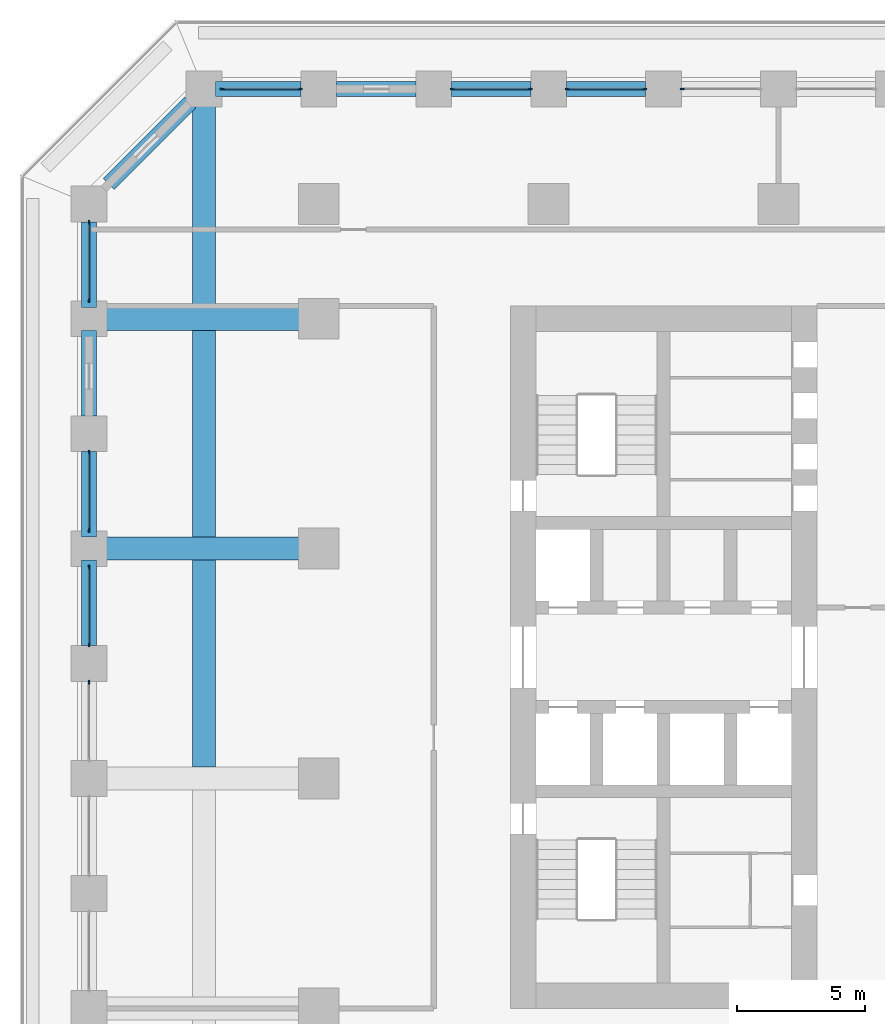
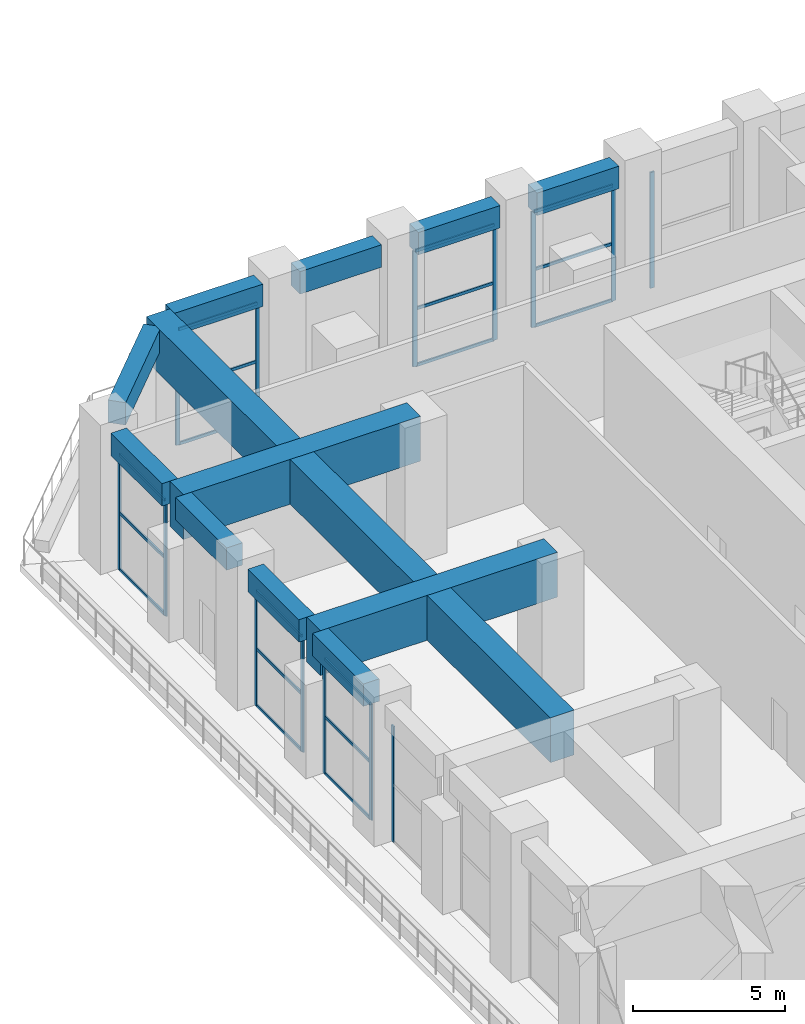
# One storey, part 6 of 21: 32 members, 14 beams, 8 elements without a shape of their own.
"""IFC4 building model written with IfcOpenShell, lengths in metres."""

from ifc_helpers import new_model, si_unit, direction, frame, origin, origin_2d, place, context, subcontext, project, spatial, rectangle, extrude, material, material_profile, profile_set, type_object, element, aggregate, save


model = new_model("IFC4")

# Units and contexts
model_context = context("Model", 3, precision=1e-05, world=origin(), true_north=direction((0.0, 1.0)))
body_context = subcontext(model_context, "Body", "Model", "MODEL_VIEW")
ifc_project = project(units=[si_unit("LENGTHUNIT", "METRE"), si_unit("AREAUNIT", "SQUARE_METRE"), si_unit("VOLUMEUNIT", "CUBIC_METRE"), si_unit("PLANEANGLEUNIT", "RADIAN"), si_unit("MASSUNIT", "GRAM", prefix="KILO")], contexts=[model_context])

# Site, building, storey
site_placement = place(None, origin())
site = spatial("IfcSite", under=ifc_project, at=site_placement, CompositionType="ELEMENT")
building_placement = place(site_placement, origin())
building = spatial("IfcBuilding", under=site, at=building_placement, Name="Corbel Stack Research Tower", CompositionType="ELEMENT")
storey_placement = place(building_placement, frame((0.0, 0.0, 35.89990234375)))
storey = spatial("IfcBuildingStorey", under=building, at=storey_placement, Name="L08", CompositionType="ELEMENT", Elevation=35.89990234375)

# Curtain wall, member
ifc_material_1 = material(Name="Aluminium frame, clear glass", Category="aluminium")
curtain_wall_type = type_object("IfcCurtainWallType", Name="Amenity floor curtain wall CW2", PredefinedType="NOTDEFINED", material=ifc_material_1)
curtain_wall_1_placement = place(storey_placement, origin())
curtain_wall_1 = element("IfcCurtainWall", 1, at=curtain_wall_1_placement, inside=storey, type_object=curtain_wall_type, Name="Curtain wall CW2 L08 N06", PredefinedType="NOTDEFINED")
ifc_material_2 = material(Name="Aluminium mullion", Category="aluminium")
ifc_material_profile_1 = material_profile(ifc_material_2, rectangle(XDim=0.06005859375, YDim=0.159912109375, at=origin_2d()), Name="Mullion 60 x 160")
ifc_profile_set_1 = profile_set([ifc_material_profile_1], Name="Aluminium mullion")
member_type_1 = type_object("IfcMemberType", Name="Curtain wall mullion 60 x 160", PredefinedType="MULLION", material=ifc_profile_set_1)
member_1_placement = place(storey_placement, frame((-3.77001953125, 27.0, 0.0), z_axis=(0.0, 0.0, 1.0), x_axis=(0.0, -1.0, 0.0)))
member_1 = element("IfcMember", 2, at=member_1_placement, type_object=member_type_1, Name="CW2 L08 N06 mullion 2", PredefinedType="MULLION", context=body_context, shape_type="SweptSolid", body=[
    extrude(rectangle(XDim=0.06005859375, YDim=0.159912109375, at=origin_2d()), origin(), (0.0, 0.0, 1.0), 4.650146484375),
])
aggregate(curtain_wall_1, [member_1])

# Curtain wall, members
curtain_wall_2_placement = place(storey_placement, origin())
curtain_wall_2 = element("IfcCurtainWall", 3, at=curtain_wall_2_placement, inside=storey, type_object=curtain_wall_type, Name="Curtain wall CW2 L08 N07", PredefinedType="NOTDEFINED")
member_2_placement = place(storey_placement, frame((-5.22998046875, 27.0, 0.0), z_axis=(0.0, 0.0, 1.0), x_axis=(0.0, -1.0, 0.0)))
member_2 = element("IfcMember", 4, at=member_2_placement, type_object=member_type_1, Name="CW2 L08 N07 mullion 1", PredefinedType="MULLION", context=body_context, shape_type="SweptSolid", body=[
    extrude(rectangle(XDim=0.06005859375, YDim=0.159912109375, at=origin_2d()), origin(), (0.0, 0.0, 1.0), 4.650146484375),
])
member_3_placement = place(storey_placement, frame((-8.27001953125, 27.0, 0.0), z_axis=(0.0, 0.0, 1.0), x_axis=(0.0, -1.0, 0.0)))
member_3 = element("IfcMember", 5, at=member_3_placement, type_object=member_type_1, Name="CW2 L08 N07 mullion 2", PredefinedType="MULLION", context=body_context, shape_type="SweptSolid", body=[
    extrude(rectangle(XDim=0.06005859375, YDim=0.159912109375, at=origin_2d()), origin(), (0.0, 0.0, 1.0), 4.650146484375),
])

curtain_wall_3_placement = place(storey_placement, origin())
curtain_wall_3 = element("IfcCurtainWall", 6, at=curtain_wall_3_placement, inside=storey, type_object=curtain_wall_type, Name="Curtain wall CW2 L08 N08", PredefinedType="NOTDEFINED")
member_4_placement = place(storey_placement, frame((-9.72998046875, 27.0, 0.0), z_axis=(0.0, 0.0, 1.0), x_axis=(0.0, -1.0, 0.0)))
member_4 = element("IfcMember", 7, at=member_4_placement, type_object=member_type_1, Name="CW2 L08 N08 mullion 1", PredefinedType="MULLION", context=body_context, shape_type="SweptSolid", body=[
    extrude(rectangle(XDim=0.06005859375, YDim=0.159912109375, at=origin_2d()), origin(), (0.0, 0.0, 1.0), 4.650146484375),
])
member_5_placement = place(storey_placement, frame((-12.77001953125, 27.0, 0.0), z_axis=(0.0, 0.0, 1.0), x_axis=(0.0, -1.0, 0.0)))
member_5 = element("IfcMember", 8, at=member_5_placement, type_object=member_type_1, Name="CW2 L08 N08 mullion 2", PredefinedType="MULLION", context=body_context, shape_type="SweptSolid", body=[
    extrude(rectangle(XDim=0.06005859375, YDim=0.159912109375, at=origin_2d()), origin(), (0.0, 0.0, 1.0), 4.650146484375),
])

curtain_wall_4_placement = place(storey_placement, origin())
curtain_wall_4 = element("IfcCurtainWall", 9, at=curtain_wall_4_placement, inside=storey, type_object=curtain_wall_type, Name="Curtain wall CW2 L08 N10", PredefinedType="NOTDEFINED")
member_6_placement = place(storey_placement, frame((-18.72998046875, 27.0, 0.0), z_axis=(0.0, 0.0, 1.0), x_axis=(0.0, -1.0, 0.0)))
member_6 = element("IfcMember", 10, at=member_6_placement, type_object=member_type_1, Name="CW2 L08 N10 mullion 1", PredefinedType="MULLION", context=body_context, shape_type="SweptSolid", body=[
    extrude(rectangle(XDim=0.06005859375, YDim=0.159912109375, at=origin_2d()), origin(), (0.0, 0.0, 1.0), 4.650146484375),
])
member_7_placement = place(storey_placement, frame((-21.77001953125, 27.0, 0.0), z_axis=(0.0, 0.0, 1.0), x_axis=(0.0, -1.0, 0.0)))
member_7 = element("IfcMember", 11, at=member_7_placement, type_object=member_type_1, Name="CW2 L08 N10 mullion 2", PredefinedType="MULLION", context=body_context, shape_type="SweptSolid", body=[
    extrude(rectangle(XDim=0.06005859375, YDim=0.159912109375, at=origin_2d()), origin(), (0.0, 0.0, 1.0), 4.650146484375),
])

curtain_wall_5_placement = place(storey_placement, origin())
curtain_wall_5 = element("IfcCurtainWall", 12, at=curtain_wall_5_placement, inside=storey, type_object=curtain_wall_type, Name="Curtain wall CW2 L08 W01", PredefinedType="NOTDEFINED")
member_8_placement = place(storey_placement, frame((-27.0, 21.77001953125, 0.0), z_axis=(0.0, 0.0, 1.0), x_axis=(1.0, 0.0, 0.0)))
member_8 = element("IfcMember", 13, at=member_8_placement, type_object=member_type_1, Name="CW2 L08 W01 mullion 1", PredefinedType="MULLION", context=body_context, shape_type="SweptSolid", body=[
    extrude(rectangle(XDim=0.06005859375, YDim=0.159912109375, at=origin_2d()), origin(), (0.0, 0.0, 1.0), 4.650146484375),
])
member_9_placement = place(storey_placement, frame((-27.0, 18.72998046875, 0.0), z_axis=(0.0, 0.0, 1.0), x_axis=(1.0, 0.0, 0.0)))
member_9 = element("IfcMember", 14, at=member_9_placement, type_object=member_type_1, Name="CW2 L08 W01 mullion 2", PredefinedType="MULLION", context=body_context, shape_type="SweptSolid", body=[
    extrude(rectangle(XDim=0.06005859375, YDim=0.159912109375, at=origin_2d()), origin(), (0.0, 0.0, 1.0), 4.650146484375),
])

curtain_wall_6_placement = place(storey_placement, origin())
curtain_wall_6 = element("IfcCurtainWall", 15, at=curtain_wall_6_placement, inside=storey, type_object=curtain_wall_type, Name="Curtain wall CW2 L08 W03", PredefinedType="NOTDEFINED")
member_10_placement = place(storey_placement, frame((-27.0, 12.77001953125, 0.0), z_axis=(0.0, 0.0, 1.0), x_axis=(1.0, 0.0, 0.0)))
member_10 = element("IfcMember", 16, at=member_10_placement, type_object=member_type_1, Name="CW2 L08 W03 mullion 1", PredefinedType="MULLION", context=body_context, shape_type="SweptSolid", body=[
    extrude(rectangle(XDim=0.06005859375, YDim=0.159912109375, at=origin_2d()), origin(), (0.0, 0.0, 1.0), 4.650146484375),
])
member_11_placement = place(storey_placement, frame((-27.0, 9.72998046875, 0.0), z_axis=(0.0, 0.0, 1.0), x_axis=(1.0, 0.0, 0.0)))
member_11 = element("IfcMember", 17, at=member_11_placement, type_object=member_type_1, Name="CW2 L08 W03 mullion 2", PredefinedType="MULLION", context=body_context, shape_type="SweptSolid", body=[
    extrude(rectangle(XDim=0.06005859375, YDim=0.159912109375, at=origin_2d()), origin(), (0.0, 0.0, 1.0), 4.650146484375),
])

curtain_wall_7_placement = place(storey_placement, origin())
curtain_wall_7 = element("IfcCurtainWall", 18, at=curtain_wall_7_placement, inside=storey, type_object=curtain_wall_type, Name="Curtain wall CW2 L08 W04", PredefinedType="NOTDEFINED")
member_12_placement = place(storey_placement, frame((-27.0, 8.27001953125, 0.0), z_axis=(0.0, 0.0, 1.0), x_axis=(1.0, 0.0, 0.0)))
member_12 = element("IfcMember", 19, at=member_12_placement, type_object=member_type_1, Name="CW2 L08 W04 mullion 1", PredefinedType="MULLION", context=body_context, shape_type="SweptSolid", body=[
    extrude(rectangle(XDim=0.06005859375, YDim=0.159912109375, at=origin_2d()), origin(), (0.0, 0.0, 1.0), 4.650146484375),
])
member_13_placement = place(storey_placement, frame((-27.0, 5.22998046875, 0.0), z_axis=(0.0, 0.0, 1.0), x_axis=(1.0, 0.0, 0.0)))
member_13 = element("IfcMember", 20, at=member_13_placement, type_object=member_type_1, Name="CW2 L08 W04 mullion 2", PredefinedType="MULLION", context=body_context, shape_type="SweptSolid", body=[
    extrude(rectangle(XDim=0.06005859375, YDim=0.159912109375, at=origin_2d()), origin(), (0.0, 0.0, 1.0), 4.650146484375),
])

# Curtain wall, member
curtain_wall_8_placement = place(storey_placement, origin())
curtain_wall_8 = element("IfcCurtainWall", 21, at=curtain_wall_8_placement, inside=storey, type_object=curtain_wall_type, Name="Curtain wall CW2 L08 W05", PredefinedType="NOTDEFINED")
member_14_placement = place(storey_placement, frame((-27.0, 3.77001953125, 0.0), z_axis=(0.0, 0.0, 1.0), x_axis=(1.0, 0.0, 0.0)))
member_14 = element("IfcMember", 22, at=member_14_placement, type_object=member_type_1, Name="CW2 L08 W05 mullion 1", PredefinedType="MULLION", context=body_context, shape_type="SweptSolid", body=[
    extrude(rectangle(XDim=0.06005859375, YDim=0.159912109375, at=origin_2d()), origin(), (0.0, 0.0, 1.0), 4.650146484375),
])
aggregate(curtain_wall_8, [member_14])

# Member
ifc_material_3 = material(Name="Aluminium transom", Category="aluminium")
ifc_material_profile_2 = material_profile(ifc_material_3, rectangle(XDim=0.06005859375, YDim=0.1201171875, at=origin_2d()), Name="Transom 60 x 120")
ifc_profile_set_2 = profile_set([ifc_material_profile_2], Name="Aluminium transom")
member_type_2 = type_object("IfcMemberType", Name="Curtain wall transom 60 x 120", PredefinedType="USERDEFINED", material=ifc_profile_set_2)
member_15_placement = place(storey_placement, frame((-5.260009765625, 27.0, 0.030029296875), z_axis=(-1.0, 0.0, 0.0), x_axis=(0.0, -1.0, 0.0)))
member_15 = element("IfcMember", 23, at=member_15_placement, type_object=member_type_2, Name="CW2 L08 N07 transom 1.1", ObjectType="TRANSOM", PredefinedType="USERDEFINED", context=body_context, shape_type="SweptSolid", body=[
    extrude(rectangle(XDim=0.06005859375, YDim=0.1201171875, at=origin_2d()), origin(), (0.0, 0.0, 1.0), 2.97998046875),
])

member_16_placement = place(storey_placement, frame((-5.260009765625, 27.0, 2.300048828125), z_axis=(-1.0, 0.0, 0.0), x_axis=(0.0, -1.0, 0.0)))
member_16 = element("IfcMember", 24, at=member_16_placement, type_object=member_type_2, Name="CW2 L08 N07 transom 1.2", ObjectType="TRANSOM", PredefinedType="USERDEFINED", context=body_context, shape_type="SweptSolid", body=[
    extrude(rectangle(XDim=0.06005859375, YDim=0.1201171875, at=origin_2d()), origin(), (0.0, 0.0, 1.0), 2.97998046875),
])

member_17_placement = place(storey_placement, frame((-5.260009765625, 27.0, 4.6201171875), z_axis=(-1.0, 0.0, 0.0), x_axis=(0.0, -1.0, 0.0)))
member_17 = element("IfcMember", 25, at=member_17_placement, type_object=member_type_2, Name="CW2 L08 N07 transom 1.3", ObjectType="TRANSOM", PredefinedType="USERDEFINED", context=body_context, shape_type="SweptSolid", body=[
    extrude(rectangle(XDim=0.06005859375, YDim=0.1201171875, at=origin_2d()), origin(), (0.0, 0.0, 1.0), 2.97998046875),
])

aggregate(curtain_wall_2, [member_2, member_3, member_15, member_16, member_17])

member_18_placement = place(storey_placement, frame((-9.760009765625, 27.0, 0.030029296875), z_axis=(-1.0, 0.0, 0.0), x_axis=(0.0, -1.0, 0.0)))
member_18 = element("IfcMember", 26, at=member_18_placement, type_object=member_type_2, Name="CW2 L08 N08 transom 1.1", ObjectType="TRANSOM", PredefinedType="USERDEFINED", context=body_context, shape_type="SweptSolid", body=[
    extrude(rectangle(XDim=0.06005859375, YDim=0.1201171875, at=origin_2d()), origin(), (0.0, 0.0, 1.0), 2.97998046875),
])

member_19_placement = place(storey_placement, frame((-9.760009765625, 27.0, 2.300048828125), z_axis=(-1.0, 0.0, 0.0), x_axis=(0.0, -1.0, 0.0)))
member_19 = element("IfcMember", 27, at=member_19_placement, type_object=member_type_2, Name="CW2 L08 N08 transom 1.2", ObjectType="TRANSOM", PredefinedType="USERDEFINED", context=body_context, shape_type="SweptSolid", body=[
    extrude(rectangle(XDim=0.06005859375, YDim=0.1201171875, at=origin_2d()), origin(), (0.0, 0.0, 1.0), 2.97998046875),
])

member_20_placement = place(storey_placement, frame((-9.760009765625, 27.0, 4.6201171875), z_axis=(-1.0, 0.0, 0.0), x_axis=(0.0, -1.0, 0.0)))
member_20 = element("IfcMember", 28, at=member_20_placement, type_object=member_type_2, Name="CW2 L08 N08 transom 1.3", ObjectType="TRANSOM", PredefinedType="USERDEFINED", context=body_context, shape_type="SweptSolid", body=[
    extrude(rectangle(XDim=0.06005859375, YDim=0.1201171875, at=origin_2d()), origin(), (0.0, 0.0, 1.0), 2.97998046875),
])

aggregate(curtain_wall_3, [member_4, member_5, member_18, member_19, member_20])

member_21_placement = place(storey_placement, frame((-18.760009765625, 27.0, 0.030029296875), z_axis=(-1.0, 0.0, 0.0), x_axis=(0.0, -1.0, 0.0)))
member_21 = element("IfcMember", 29, at=member_21_placement, type_object=member_type_2, Name="CW2 L08 N10 transom 1.1", ObjectType="TRANSOM", PredefinedType="USERDEFINED", context=body_context, shape_type="SweptSolid", body=[
    extrude(rectangle(XDim=0.06005859375, YDim=0.1201171875, at=origin_2d()), origin(), (0.0, 0.0, 1.0), 2.97998046875),
])

member_22_placement = place(storey_placement, frame((-18.760009765625, 27.0, 2.300048828125), z_axis=(-1.0, 0.0, 0.0), x_axis=(0.0, -1.0, 0.0)))
member_22 = element("IfcMember", 30, at=member_22_placement, type_object=member_type_2, Name="CW2 L08 N10 transom 1.2", ObjectType="TRANSOM", PredefinedType="USERDEFINED", context=body_context, shape_type="SweptSolid", body=[
    extrude(rectangle(XDim=0.06005859375, YDim=0.1201171875, at=origin_2d()), origin(), (0.0, 0.0, 1.0), 2.97998046875),
])

member_23_placement = place(storey_placement, frame((-18.760009765625, 27.0, 4.6201171875), z_axis=(-1.0, 0.0, 0.0), x_axis=(0.0, -1.0, 0.0)))
member_23 = element("IfcMember", 31, at=member_23_placement, type_object=member_type_2, Name="CW2 L08 N10 transom 1.3", ObjectType="TRANSOM", PredefinedType="USERDEFINED", context=body_context, shape_type="SweptSolid", body=[
    extrude(rectangle(XDim=0.06005859375, YDim=0.1201171875, at=origin_2d()), origin(), (0.0, 0.0, 1.0), 2.97998046875),
])

aggregate(curtain_wall_4, [member_6, member_7, member_21, member_22, member_23])

member_24_placement = place(storey_placement, frame((-27.0, 21.739990234375, 0.030029296875), z_axis=(0.0, -1.0, 0.0), x_axis=(1.0, 0.0, 0.0)))
member_24 = element("IfcMember", 32, at=member_24_placement, type_object=member_type_2, Name="CW2 L08 W01 transom 1.1", ObjectType="TRANSOM", PredefinedType="USERDEFINED", context=body_context, shape_type="SweptSolid", body=[
    extrude(rectangle(XDim=0.06005859375, YDim=0.1201171875, at=origin_2d()), origin(), (0.0, 0.0, 1.0), 2.97998046875),
])

member_25_placement = place(storey_placement, frame((-27.0, 21.739990234375, 2.300048828125), z_axis=(0.0, -1.0, 0.0), x_axis=(1.0, 0.0, 0.0)))
member_25 = element("IfcMember", 33, at=member_25_placement, type_object=member_type_2, Name="CW2 L08 W01 transom 1.2", ObjectType="TRANSOM", PredefinedType="USERDEFINED", context=body_context, shape_type="SweptSolid", body=[
    extrude(rectangle(XDim=0.06005859375, YDim=0.1201171875, at=origin_2d()), origin(), (0.0, 0.0, 1.0), 2.97998046875),
])

member_26_placement = place(storey_placement, frame((-27.0, 21.739990234375, 4.6201171875), z_axis=(0.0, -1.0, 0.0), x_axis=(1.0, 0.0, 0.0)))
member_26 = element("IfcMember", 34, at=member_26_placement, type_object=member_type_2, Name="CW2 L08 W01 transom 1.3", ObjectType="TRANSOM", PredefinedType="USERDEFINED", context=body_context, shape_type="SweptSolid", body=[
    extrude(rectangle(XDim=0.06005859375, YDim=0.1201171875, at=origin_2d()), origin(), (0.0, 0.0, 1.0), 2.97998046875),
])

aggregate(curtain_wall_5, [member_8, member_9, member_24, member_25, member_26])

member_27_placement = place(storey_placement, frame((-27.0, 12.739990234375, 0.030029296875), z_axis=(0.0, -1.0, 0.0), x_axis=(1.0, 0.0, 0.0)))
member_27 = element("IfcMember", 35, at=member_27_placement, type_object=member_type_2, Name="CW2 L08 W03 transom 1.1", ObjectType="TRANSOM", PredefinedType="USERDEFINED", context=body_context, shape_type="SweptSolid", body=[
    extrude(rectangle(XDim=0.06005859375, YDim=0.1201171875, at=origin_2d()), origin(), (0.0, 0.0, 1.0), 2.97998046875),
])

member_28_placement = place(storey_placement, frame((-27.0, 12.739990234375, 2.300048828125), z_axis=(0.0, -1.0, 0.0), x_axis=(1.0, 0.0, 0.0)))
member_28 = element("IfcMember", 36, at=member_28_placement, type_object=member_type_2, Name="CW2 L08 W03 transom 1.2", ObjectType="TRANSOM", PredefinedType="USERDEFINED", context=body_context, shape_type="SweptSolid", body=[
    extrude(rectangle(XDim=0.06005859375, YDim=0.1201171875, at=origin_2d()), origin(), (0.0, 0.0, 1.0), 2.97998046875),
])

member_29_placement = place(storey_placement, frame((-27.0, 12.739990234375, 4.6201171875), z_axis=(0.0, -1.0, 0.0), x_axis=(1.0, 0.0, 0.0)))
member_29 = element("IfcMember", 37, at=member_29_placement, type_object=member_type_2, Name="CW2 L08 W03 transom 1.3", ObjectType="TRANSOM", PredefinedType="USERDEFINED", context=body_context, shape_type="SweptSolid", body=[
    extrude(rectangle(XDim=0.06005859375, YDim=0.1201171875, at=origin_2d()), origin(), (0.0, 0.0, 1.0), 2.97998046875),
])

aggregate(curtain_wall_6, [member_10, member_11, member_27, member_28, member_29])

member_30_placement = place(storey_placement, frame((-27.0, 8.239990234375, 0.030029296875), z_axis=(0.0, -1.0, 0.0), x_axis=(1.0, 0.0, 0.0)))
member_30 = element("IfcMember", 38, at=member_30_placement, type_object=member_type_2, Name="CW2 L08 W04 transom 1.1", ObjectType="TRANSOM", PredefinedType="USERDEFINED", context=body_context, shape_type="SweptSolid", body=[
    extrude(rectangle(XDim=0.06005859375, YDim=0.1201171875, at=origin_2d()), origin(), (0.0, 0.0, 1.0), 2.97998046875),
])

member_31_placement = place(storey_placement, frame((-27.0, 8.239990234375, 2.300048828125), z_axis=(0.0, -1.0, 0.0), x_axis=(1.0, 0.0, 0.0)))
member_31 = element("IfcMember", 39, at=member_31_placement, type_object=member_type_2, Name="CW2 L08 W04 transom 1.2", ObjectType="TRANSOM", PredefinedType="USERDEFINED", context=body_context, shape_type="SweptSolid", body=[
    extrude(rectangle(XDim=0.06005859375, YDim=0.1201171875, at=origin_2d()), origin(), (0.0, 0.0, 1.0), 2.97998046875),
])

member_32_placement = place(storey_placement, frame((-27.0, 8.239990234375, 4.6201171875), z_axis=(0.0, -1.0, 0.0), x_axis=(1.0, 0.0, 0.0)))
member_32 = element("IfcMember", 40, at=member_32_placement, type_object=member_type_2, Name="CW2 L08 W04 transom 1.3", ObjectType="TRANSOM", PredefinedType="USERDEFINED", context=body_context, shape_type="SweptSolid", body=[
    extrude(rectangle(XDim=0.06005859375, YDim=0.1201171875, at=origin_2d()), origin(), (0.0, 0.0, 1.0), 2.97998046875),
])

aggregate(curtain_wall_7, [member_12, member_13, member_30, member_31, member_32])

# Beams
ifc_material_4 = material(Name="Concrete C60/75", Category="concrete")
ifc_material_profile_3 = material_profile(ifc_material_4, rectangle(XDim=0.60009765625, YDim=0.89990234375, at=origin_2d()), Name="RC 600 x 900")
ifc_profile_set_3 = profile_set([ifc_material_profile_3], Name="Concrete C60/75")
beam_type_1 = type_object("IfcBeamType", Name="SB-600-900-450", PredefinedType="SPANDREL", material=ifc_profile_set_3)
for number, where, z_axis, x_axis, name in (
    (41, (-5.199951171875, 27.0, 5.10009765625), (-1.0, 0.0, 0.0), (0.0, -1.0, 0.0), "Spandrel beam L08-29"),
    (42, (-9.699951171875, 27.0, 5.10009765625), (-1.0, 0.0, 0.0), (0.0, -1.0, 0.0), "Spandrel beam L08-30"),
    (43, (-14.199951171875, 27.0, 5.10009765625), (-1.0, 0.0, 0.0), (0.0, -1.0, 0.0), "Spandrel beam L08-31"),
):
    element("IfcBeam", number, at=place(storey_placement, frame(where, z_axis=z_axis, x_axis=x_axis)), inside=storey, type_object=beam_type_1, Name=name, PredefinedType="SPANDREL", context=body_context, shape_type="SweptSolid", body=[
        extrude(rectangle(XDim=0.60009765625, YDim=0.89990234375, at=origin_2d()), origin(), (0.0, 0.0, 1.0), 3.10009765625),
    ])
beam_1_placement = place(storey_placement, frame((-18.699951171875, 27.0, 5.10009765625), z_axis=(-1.0, 0.0, 0.0), x_axis=(0.0, -1.0, 0.0)))
element("IfcBeam", 44, at=beam_1_placement, inside=storey, type_object=beam_type_1, Name="Spandrel beam L08-32", PredefinedType="SPANDREL", context=body_context, shape_type="SweptSolid", body=[
    extrude(rectangle(XDim=0.60009765625, YDim=0.89990234375, at=origin_2d()), origin(), (0.0, 0.0, 1.0), 3.35009765625),
])
beam_2_placement = place(storey_placement, frame((-23.02783203125, 26.47216796875, 5.10009765625), z_axis=(-0.707106781187, -0.707106781187, 0.0), x_axis=(0.707106781187, -0.707106781187, 0.0)))
element("IfcBeam", 45, at=beam_2_placement, inside=storey, type_object=beam_type_1, Name="Spandrel beam L08-33", PredefinedType="SPANDREL", context=body_context, shape_type="SweptSolid", body=[
    extrude(rectangle(XDim=0.60009765625, YDim=0.89990234375, at=origin_2d()), origin(), (0.0, 0.0, 1.0), 4.517578125),
])
for number, where, z_axis, x_axis, name in (
    (46, (-27.0, 21.800048828125, 5.10009765625), (0.0, -1.0, 0.0), (1.0, 0.0, 0.0), "Spandrel beam L08-34"),
    (47, (-27.0, 17.550048828125, 5.10009765625), (0.0, -1.0, 0.0), (1.0, 0.0, 0.0), "Spandrel beam L08-35"),
    (48, (-27.0, 12.800048828125, 5.10009765625), (0.0, -1.0, 0.0), (1.0, 0.0, 0.0), "Spandrel beam L08-36"),
    (49, (-27.0, 8.550048828125, 5.10009765625), (0.0, -1.0, 0.0), (1.0, 0.0, 0.0), "Spandrel beam L08-37"),
):
    element("IfcBeam", number, at=place(storey_placement, frame(where, z_axis=z_axis, x_axis=x_axis)), inside=storey, type_object=beam_type_1, Name=name, PredefinedType="SPANDREL", context=body_context, shape_type="SweptSolid", body=[
        extrude(rectangle(XDim=0.60009765625, YDim=0.89990234375, at=origin_2d()), origin(), (0.0, 0.0, 1.0), 3.35009765625),
    ])
ifc_material_5 = material(Name="Concrete C60/75", Category="concrete")
ifc_material_profile_4 = material_profile(ifc_material_5, rectangle(XDim=0.89990234375, YDim=1.800048828125, at=origin_2d()), Name="RC 900 x 1800")
ifc_profile_set_4 = profile_set([ifc_material_profile_4], Name="Concrete C60/75")
beam_type_2 = type_object("IfcBeamType", Name="TG-900-1800", PredefinedType="BEAM", material=ifc_profile_set_4)
for number, where, z_axis, x_axis, name in (
    (50, (-27.0, 9.0, 4.650146484375), (1.0, 0.0, 0.0), (0.0, 1.0, 0.0), "Transfer cross girder L08 Wx9"),
    (51, (-27.0, 18.0, 4.650146484375), (1.0, 0.0, 0.0), (0.0, 1.0, 0.0), "Transfer cross girder L08 Wx18"),
):
    element("IfcBeam", number, at=place(storey_placement, frame(where, z_axis=z_axis, x_axis=x_axis)), inside=storey, type_object=beam_type_2, Name=name, PredefinedType="BEAM", context=body_context, shape_type="SweptSolid", body=[
        extrude(rectangle(XDim=0.89990234375, YDim=1.800048828125, at=origin_2d()), origin(), (0.0, 0.0, 1.0), 9.0),
    ])
for number, where, z_axis, x_axis, name in (
    (52, (-22.5, 0.449951171875, 4.650146484375), (0.0, 1.0, 0.0), (-1.0, 0.0, 0.0), "Transfer girder along the step L08 Wl0"),
    (53, (-22.5, 9.449951171875, 4.650146484375), (0.0, 1.0, 0.0), (-1.0, 0.0, 0.0), "Transfer girder along the step L08 Wl9"),
):
    element("IfcBeam", number, at=place(storey_placement, frame(where, z_axis=z_axis, x_axis=x_axis)), inside=storey, type_object=beam_type_2, Name=name, PredefinedType="BEAM", context=body_context, shape_type="SweptSolid", body=[
        extrude(rectangle(XDim=0.89990234375, YDim=1.800048828125, at=origin_2d()), origin(), (0.0, 0.0, 1.0), 8.10009765625),
    ])
beam_3_placement = place(storey_placement, frame((-22.5, 18.449951171875, 4.650146484375), z_axis=(0.0, 1.0, 0.0), x_axis=(-1.0, 0.0, 0.0)))
element("IfcBeam", 54, at=beam_3_placement, inside=storey, type_object=beam_type_2, Name="Transfer girder along the step L08 Wl18", PredefinedType="BEAM", context=body_context, shape_type="SweptSolid", body=[
    extrude(rectangle(XDim=0.89990234375, YDim=1.800048828125, at=origin_2d()), origin(), (0.0, 0.0, 1.0), 8.550048828125),
])

save(model, "model.ifc")
